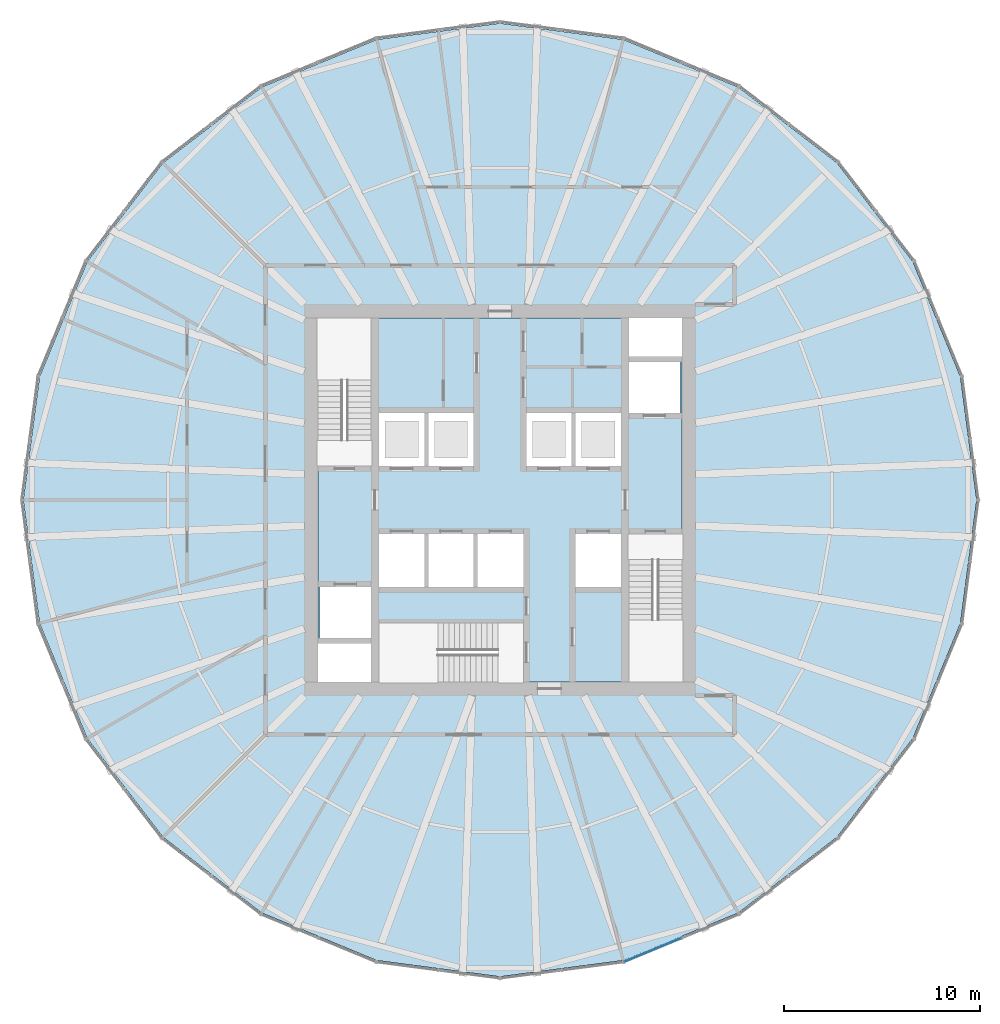
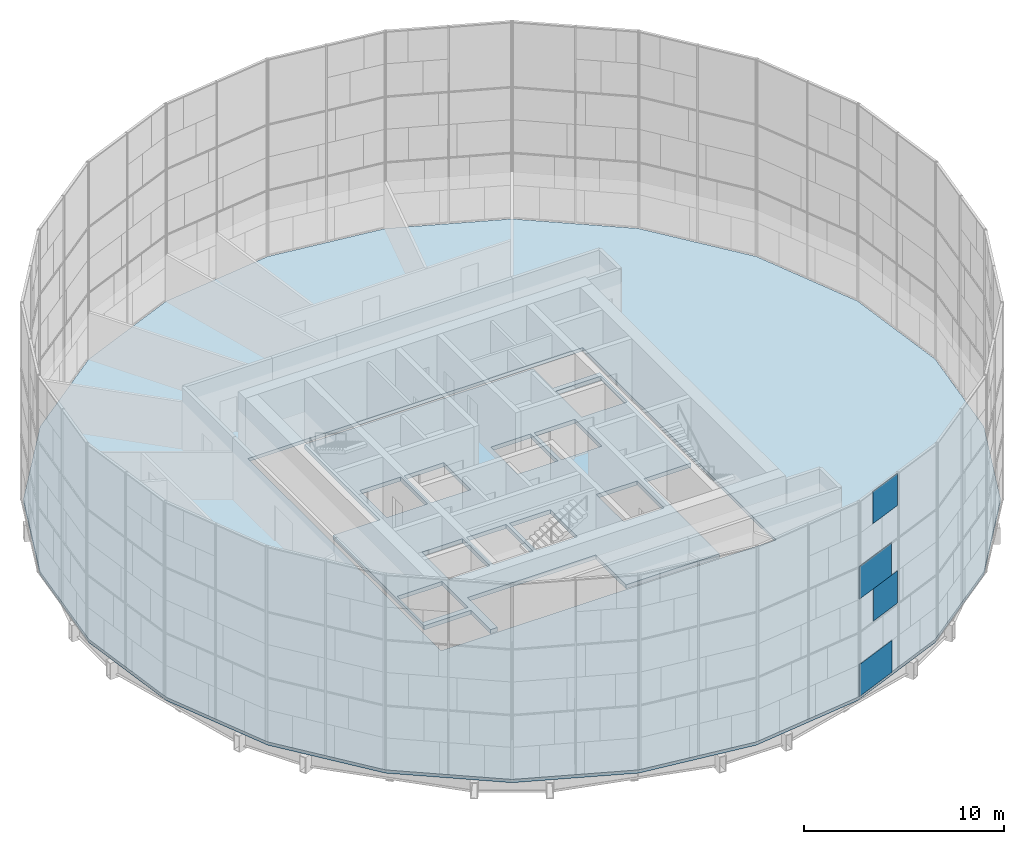
# One storey, part 12 of 22: 4 plates, 2 slabs, 1 element without a shape of its own.
"""IFC4 building model written with IfcOpenShell, lengths in metres."""

from ifc_helpers import new_model, si_unit, direction, frame, origin, origin_2d, place, context, subcontext, project, spatial, polyline, rectangle, outline, extrude, material, layer, layer_set, type_object, element, aggregate, save


model = new_model("IFC4")

# Units and contexts
model_context = context("Model", 3, precision=1e-05, world=origin(), true_north=direction((0.0, 1.0)))
body_context = subcontext(model_context, "Body", "Model", "MODEL_VIEW")
ifc_project = project(units=[si_unit("LENGTHUNIT", "METRE"), si_unit("AREAUNIT", "SQUARE_METRE"), si_unit("VOLUMEUNIT", "CUBIC_METRE"), si_unit("PLANEANGLEUNIT", "RADIAN"), si_unit("MASSUNIT", "GRAM", prefix="KILO")], contexts=[model_context])

# Site, building, storey
site_placement = place(None, origin())
site = spatial("IfcSite", under=ifc_project, at=site_placement, CompositionType="ELEMENT")
building_placement = place(site_placement, origin())
building = spatial("IfcBuilding", under=site, at=building_placement, Name="Golbaran Civic Tower", CompositionType="ELEMENT")
storey_placement = place(building_placement, frame((0.0, 0.0, 90.0)))
storey = spatial("IfcBuildingStorey", under=building, at=storey_placement, Name="L21", CompositionType="ELEMENT", Elevation=90.0)

# Slabs
ifc_material_1 = material(Name="Concrete LC30/33 lightweight on steel deck", Category="concrete")
ifc_layer_1 = layer(ifc_material_1, 0.199951171875, Name="Concrete LC30/33 lightweight on steel deck")
ifc_layer_set_1 = layer_set([ifc_layer_1], Name="Concrete LC30/33 lightweight on steel deck")
slab_type_1 = type_object("IfcSlabType", Name="COMPOSITE FLOOR SLAB 200", PredefinedType="FLOOR", material=ifc_layer_set_1)
slab_1_placement = place(storey_placement, frame((0.0, 0.0, -0.199951171875)))
element("IfcSlab", 1, at=slab_1_placement, inside=storey, type_object=slab_type_1, Name="Floor slab L21", PredefinedType="FLOOR", context=body_context, shape_type="SweptSolid", body=[
    extrude(outline(polyline([(21.114013671875, -12.190185546875), (17.239501953125, -17.239501953125), (12.190185546875, -21.114013671875), (6.31005859375, -23.549560546875), (0.0, -24.38037109375), (-6.31005859375, -23.549560546875), (-12.190185546875, -21.114013671875), (-17.239501953125, -17.239501953125), (-21.114013671875, -12.190185546875), (-23.549560546875, -6.31005859375), (-24.38037109375, 0.0), (-23.549560546875, 6.31005859375), (-21.114013671875, 12.190185546875), (-17.239501953125, 17.239501953125), (-12.190185546875, 21.114013671875), (-6.31005859375, 23.549560546875), (0.0, 24.38037109375), (6.31005859375, 23.549560546875), (12.190185546875, 21.114013671875), (17.239501953125, 17.239501953125), (21.114013671875, 12.190185546875), (23.549560546875, 6.31005859375), (24.38037109375, 0.0), (23.549560546875, -6.31005859375), (21.114013671875, -12.190185546875)]), holes=[polyline([(-9.64990234375, 9.64990234375), (-9.64990234375, -9.64990234375), (9.64990234375, -9.64990234375), (9.64990234375, 9.64990234375), (-9.64990234375, 9.64990234375)])]), origin(), (0.0, 0.0, 1.0), 0.199951171875),
])
ifc_material_2 = material(Name="Concrete C35/45", Category="concrete")
ifc_layer_2 = layer(ifc_material_2, 0.25, Name="Concrete C35/45")
ifc_layer_set_2 = layer_set([ifc_layer_2], Name="Concrete C35/45")
slab_type_2 = type_object("IfcSlabType", Name="CORE FLOOR SLAB 250", PredefinedType="FLOOR", material=ifc_layer_set_2)
slab_2_placement = place(storey_placement, frame((0.0, 0.0, -0.25)))
element("IfcSlab", 2, at=slab_2_placement, inside=storey, type_object=slab_type_2, Name="Core floor slab L21", PredefinedType="FLOOR", context=body_context, shape_type="SweptSolid", body=[
    extrude(outline(polyline([(6.60009765625, -1.75), (6.60009765625, -9.300048828125), (1.199951171875, -9.300048828125), (1.199951171875, -6.300048828125), (-6.199951171875, -6.300048828125), (-6.199951171875, -9.300048828125), (-6.60009765625, -9.300048828125), (-6.60009765625, -7.35009765625), (-9.300048828125, -7.35009765625), (-9.300048828125, 1.75), (-6.60009765625, 1.75), (-6.60009765625, 9.300048828125), (6.60009765625, 9.300048828125), (6.60009765625, 7.35009765625), (9.300048828125, 7.35009765625), (9.300048828125, -1.75), (6.60009765625, -1.75)]), holes=[polyline([(9.199951171875, 7.050048828125), (6.60009765625, 7.050048828125), (6.60009765625, 4.449951171875), (9.199951171875, 4.449951171875), (9.199951171875, 7.050048828125)]), polyline([(6.199951171875, -1.75), (3.85009765625, -1.75), (3.85009765625, -4.449951171875), (6.199951171875, -4.449951171875), (6.199951171875, -1.75)]), polyline([(6.199951171875, 4.449951171875), (3.85009765625, 4.449951171875), (3.85009765625, 1.75), (6.199951171875, 1.75), (6.199951171875, 4.449951171875)]), polyline([(3.64990234375, 4.449951171875), (1.35009765625, 4.449951171875), (1.35009765625, 1.75), (3.64990234375, 1.75), (3.64990234375, 4.449951171875)]), polyline([(1.199951171875, -1.75), (-1.14990234375, -1.75), (-1.14990234375, -4.449951171875), (1.199951171875, -4.449951171875), (1.199951171875, -1.75)]), polyline([(-1.35009765625, 4.449951171875), (-3.64990234375, 4.449951171875), (-3.64990234375, 1.75), (-1.35009765625, 1.75), (-1.35009765625, 4.449951171875)]), polyline([(-1.35009765625, -1.75), (-3.64990234375, -1.75), (-3.64990234375, -4.449951171875), (-1.35009765625, -4.449951171875), (-1.35009765625, -1.75)]), polyline([(-3.85009765625, -1.75), (-6.199951171875, -1.75), (-6.199951171875, -4.449951171875), (-3.85009765625, -4.449951171875), (-3.85009765625, -1.75)]), polyline([(-3.85009765625, 4.449951171875), (-6.199951171875, 4.449951171875), (-6.199951171875, 1.75), (-3.85009765625, 1.75), (-3.85009765625, 4.449951171875)]), polyline([(-6.60009765625, -4.449951171875), (-9.199951171875, -4.449951171875), (-9.199951171875, -7.050048828125), (-6.60009765625, -7.050048828125), (-6.60009765625, -4.449951171875)])]), origin(), (0.0, 0.0, 1.0), 0.25),
])

# Curtain wall, plates
ifc_material_3 = material(Name="Aluminium and glass", Category="aluminium")
curtain_wall_type = type_object("IfcCurtainWallType", Name="INNER SKIN CURTAIN WALL", PredefinedType="NOTDEFINED", material=ifc_material_3)
curtain_wall_placement = place(storey_placement, origin())
curtain_wall = element("IfcCurtainWall", 3, at=curtain_wall_placement, inside=storey, type_object=curtain_wall_type, Name="Inner skin L21 facet 20 CW1", ObjectType="INNER SKIN", PredefinedType="USERDEFINED")
ifc_material_4 = material(Name="Clear insulating glass", Category="glass")
ifc_layer_3 = layer(ifc_material_4, 0.031982421875, Name="Clear insulating glass")
ifc_layer_set_3 = layer_set([ifc_layer_3], Name="Clear insulating glass")
plate_type_1 = type_object("IfcPlateType", Name="INNER SKIN CURTAIN WALL GLAZED PANEL", PredefinedType="CURTAIN_PANEL", material=ifc_layer_set_3)
plate_1_placement = place(storey_placement, frame((7.62109375, -23.093017578125, 0.06494140625), z_axis=(0.0, 0.0, 1.0), x_axis=(0.923879532511, 0.382683432365, 0.0)))
plate_1 = element("IfcPlate", 4, at=plate_1_placement, type_object=plate_type_1, Name="CW1 panel 1.1 part 1", PredefinedType="CURTAIN_PANEL", context=body_context, shape_type="SweptSolid", body=[
    extrude(rectangle(XDim=2.6630859375, YDim=0.031982421875, at=origin_2d()), origin(), (0.0, 0.0, 1.0), 1.951171875),
])
plate_2_placement = place(storey_placement, frame((8.31787109375, -22.804443359375, 9.98388671875), z_axis=(0.0, 0.0, 1.0), x_axis=(0.923879532511, 0.382683432365, 0.0)))
plate_2 = element("IfcPlate", 5, at=plate_2_placement, type_object=plate_type_1, Name="CW1 panel 1.3 part 4", PredefinedType="CURTAIN_PANEL", context=body_context, shape_type="SweptSolid", body=[
    extrude(rectangle(XDim=2.019287109375, YDim=0.031982421875, at=origin_2d()), origin(), (0.0, 0.0, 1.0), 1.951171875),
])
ifc_material_5 = material(Name="Aluminium faced opaque infill panel", Category="aluminium")
ifc_layer_4 = layer(ifc_material_5, 0.031982421875, Name="Aluminium faced opaque infill panel")
ifc_layer_set_4 = layer_set([ifc_layer_4], Name="Aluminium faced opaque infill panel")
plate_type_2 = type_object("IfcPlateType", Name="INNER SKIN CURTAIN WALL OPAQUE INFILL PANEL", PredefinedType="CURTAIN_PANEL", material=ifc_layer_set_4)
plate_3_placement = place(storey_placement, frame((8.33642578125, -22.796875, 4.03271484375), z_axis=(0.0, 0.0, 1.0), x_axis=(0.923879532511, 0.382683432365, 0.0)))
plate_3 = element("IfcPlate", 6, at=plate_3_placement, type_object=plate_type_2, Name="CW1 infill panel 1.2 part 2", PredefinedType="CURTAIN_PANEL", context=body_context, shape_type="SweptSolid", body=[
    extrude(rectangle(XDim=1.979248046875, YDim=0.031982421875, at=origin_2d()), origin(), (0.0, 0.0, 1.0), 1.967529296875),
])
plate_4_placement = place(storey_placement, frame((7.603271484375, -23.1005859375, 6.0), z_axis=(0.0, 0.0, 1.0), x_axis=(0.923879532511, 0.382683432365, 0.0)))
plate_4 = element("IfcPlate", 7, at=plate_4_placement, type_object=plate_type_2, Name="CW1 infill panel 1.2 part 3", PredefinedType="CURTAIN_PANEL", context=body_context, shape_type="SweptSolid", body=[
    extrude(rectangle(XDim=2.6240234375, YDim=0.031982421875, at=origin_2d()), origin(), (0.0, 0.0, 1.0), 1.967529296875),
])
aggregate(curtain_wall, [plate_1, plate_3, plate_4, plate_2])

save(model, "model.ifc")
